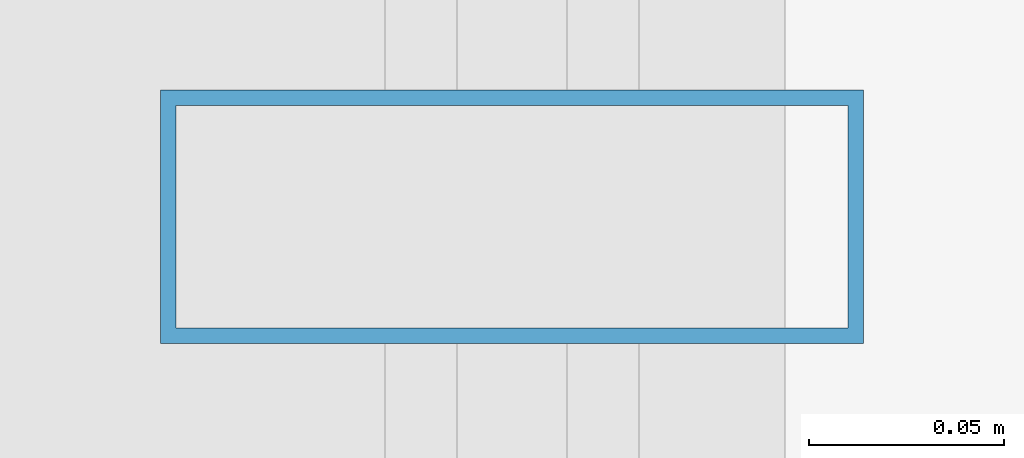
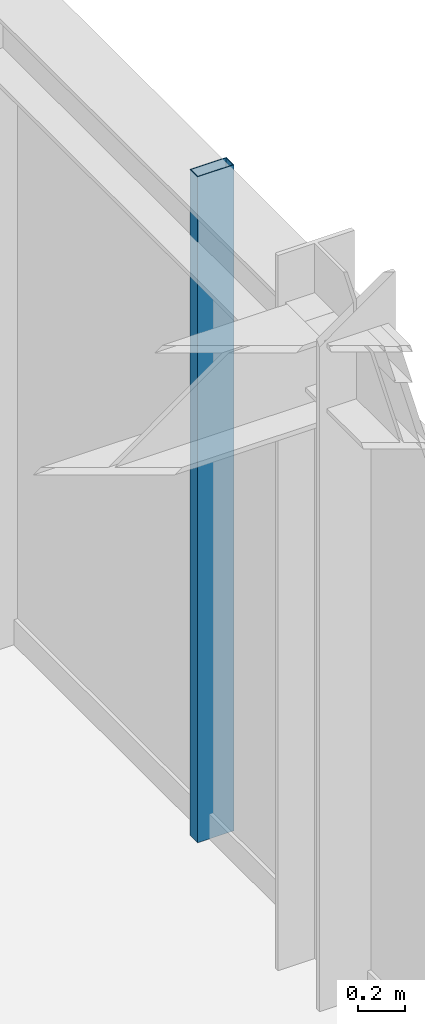
# One storey, part 16 of 36: 1 member, 1 element without a shape of its own.
"""IFC4 building model written with IfcOpenShell, lengths in metres."""

from ifc_helpers import new_model, si_unit, direction, frame, origin, origin_2d, place, context, subcontext, project, spatial, hollow_rectangle, extrude, source, transform, mapped, material, material_profile, profile_set, type_object, element, aggregate, save


model = new_model("IFC4")

# Units and contexts
model_context = context("Model", 3, precision=1e-05, world=origin(), true_north=direction((0.0, 1.0)))
body_context = subcontext(model_context, "Body", "Model", "MODEL_VIEW")
ifc_project = project(units=[si_unit("LENGTHUNIT", "METRE"), si_unit("AREAUNIT", "SQUARE_METRE"), si_unit("VOLUMEUNIT", "CUBIC_METRE"), si_unit("PLANEANGLEUNIT", "RADIAN"), si_unit("MASSUNIT", "GRAM", prefix="KILO")], contexts=[model_context])

# Site, building, storey
site_placement = place(None, origin())
site = spatial("IfcSite", under=ifc_project, at=site_placement, CompositionType="ELEMENT")
building_placement = place(site_placement, origin())
building = spatial("IfcBuilding", under=site, at=building_placement, Name="Nahalor Promenade Grand Hotel", CompositionType="ELEMENT")
storey_placement = place(building_placement, frame((0.0, 0.0, 273.800048828125)))
storey = spatial("IfcBuildingStorey", under=building, at=storey_placement, Name="L70", CompositionType="ELEMENT", Elevation=273.800048828125)

# Curtain wall, member
ifc_material = material(Name="Anodised Bronze Aluminium EN AW-6063 T6", Category="aluminium")
curtain_wall_type = type_object("IfcCurtainWallType", Name="CW2 Typical Hotel Flush Bronze Unitised Curtain Wall", PredefinedType="USERDEFINED", material=ifc_material)
curtain_wall_placement = place(storey_placement, origin())
curtain_wall = element("IfcCurtainWall", 1, at=curtain_wall_placement, inside=storey, type_object=curtain_wall_type, Name="L70 Curtain Wall CW-L70-E-1", ObjectType="UNITISED_CURTAIN_WALL", PredefinedType="USERDEFINED")
ifc_material_profile = material_profile(ifc_material, hollow_rectangle(XDim=0.065, YDim=0.18, WallThickness=0.004, at=origin_2d()), Name="CWM 65x180x4")
ifc_profile_set = profile_set([ifc_material_profile], Name="Anodised Bronze Aluminium EN AW-6063 T6")
member_type = type_object("IfcMemberType", Name="CWM2 Typical Bronze Mullion 65x180", PredefinedType="MULLION", material=ifc_profile_set)
shared_shape = source(origin(), body_context, "Body", "SweptSolid", [
    extrude(hollow_rectangle(XDim=0.065, YDim=0.18, WallThickness=0.004, at=origin_2d()), origin(), (0.0, 0.0, 1.0), 3.449951171875),
])
member_placement = place(storey_placement, frame((22.56005859375, 6.586669921875, 0.0), z_axis=(0.0, 0.0, 1.0), x_axis=(0.0, 1.0, 0.0)))
member = element("IfcMember", 2, at=member_placement, type_object=member_type, Name="CW-L70-E-1 Mullion 2", PredefinedType="MULLION", context=body_context, shape_type="MappedRepresentation", body=[
    mapped(shared_shape, transform((0.0, 0.0, 0.0), scale=1.0)),
])
aggregate(curtain_wall, [member])

save(model, "model.ifc")
